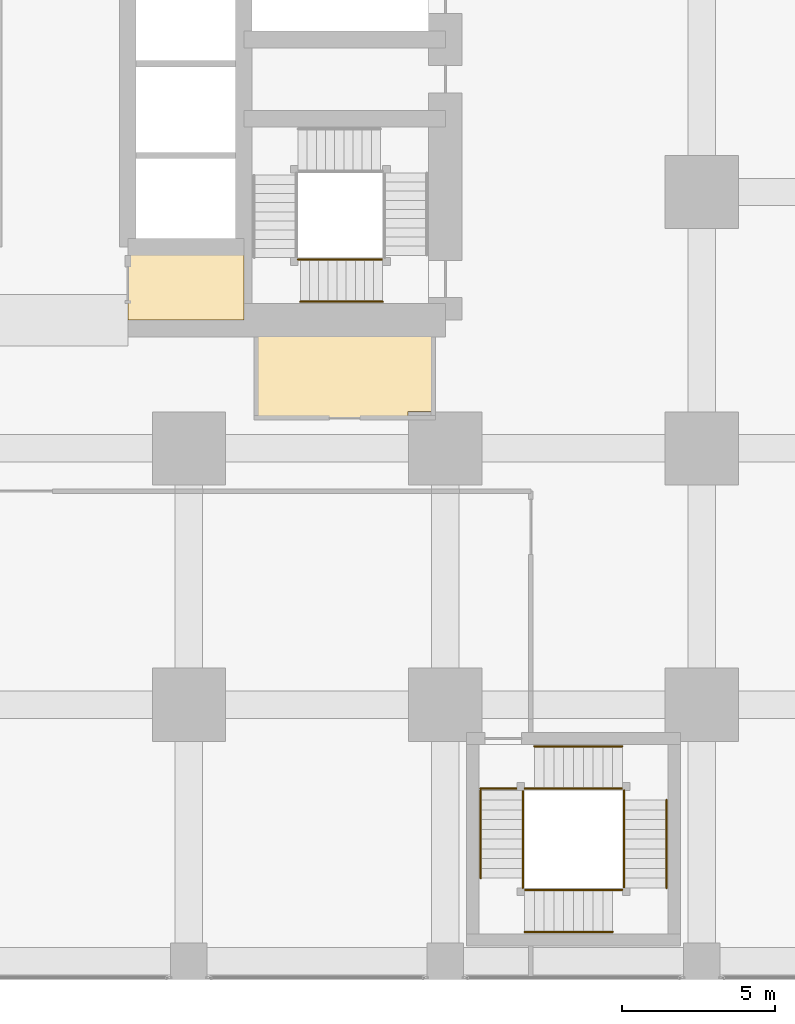
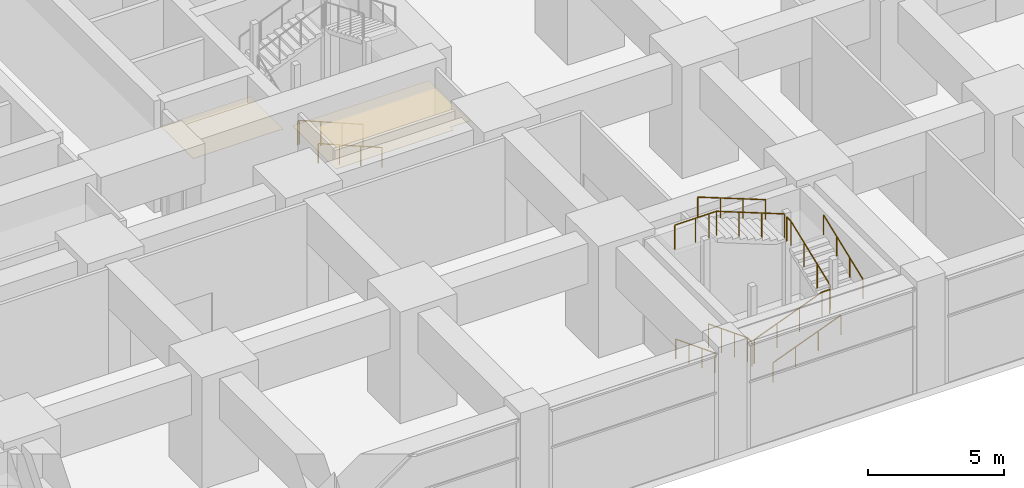
# One storey, part 42 of 48: 16 railings, 2 coverings.
"""IFC4 building model written with IfcOpenShell, lengths in metres."""

from ifc_helpers import new_model, si_unit, direction, frame, origin, origin_2d, place, context, subcontext, project, spatial, polyline, circle, outline, extrude, material, layer, layer_set, type_object, element, save


model = new_model("IFC4")

# Units and contexts
model_context = context("Model", 3, precision=1e-05, world=origin(), true_north=direction((0.0, 1.0)))
body_context = subcontext(model_context, "Body", "Model", "MODEL_VIEW")
ifc_project = project(units=[si_unit("LENGTHUNIT", "METRE"), si_unit("AREAUNIT", "SQUARE_METRE"), si_unit("VOLUMEUNIT", "CUBIC_METRE"), si_unit("PLANEANGLEUNIT", "RADIAN"), si_unit("MASSUNIT", "GRAM", prefix="KILO")], contexts=[model_context])

# Site, building, storey
site_placement = place(None, origin())
site = spatial("IfcSite", under=ifc_project, at=site_placement, CompositionType="ELEMENT")
building_placement = place(site_placement, origin())
building = spatial("IfcBuilding", under=site, at=building_placement, Name="Rekha Terrace Tower", CompositionType="ELEMENT")
storey_placement = place(building_placement, frame((0.0, 0.0, 15.39990234375)))
storey = spatial("IfcBuildingStorey", under=building, at=storey_placement, Name="L03", CompositionType="ELEMENT", Elevation=15.39990234375)

# Coverings
ifc_material_1 = material(Name="Fibre cement board", Category="finish")
ifc_layer = layer(ifc_material_1, 0.014892578125)
ifc_layer_set = layer_set([ifc_layer], Name="Fibre cement board")
covering_type = type_object("IfcCoveringType", Name="CL2 moisture-resistant board ceiling", PredefinedType="CEILING", material=ifc_layer_set)
covering_1_placement = place(storey_placement, frame((0.0, 0.0, 3.78515625)))
element("IfcCovering", 1, at=covering_1_placement, inside=storey, type_object=covering_type, Name="Ceiling L03-WCA", PredefinedType="CEILING", context=body_context, shape_type="SweptSolid", body=[
    extrude(outline(polyline([(43.800048828125, 23.39990234375), (40.0, 23.39990234375), (40.0, 21.0), (43.800048828125, 21.0), (43.800048828125, 23.39990234375)])), origin(), (0.0, 0.0, 1.0), 0.014892578125),
])
covering_2_placement = place(storey_placement, frame((0.0, 0.0, 3.78515625)))
element("IfcCovering", 2, at=covering_2_placement, inside=storey, type_object=covering_type, Name="Ceiling L03-WCM2", PredefinedType="CEILING", context=body_context, shape_type="SweptSolid", body=[
    extrude(outline(polyline([(50.0, 21.0), (44.199951171875, 21.0), (44.199951171875, 17.800048828125), (49.18505859375, 17.800048828125), (49.18505859375, 18.014892578125), (50.0, 18.014892578125), (50.0, 21.0)])), origin(), (0.0, 0.0, 1.0), 0.014892578125),
])

# Railings
ifc_material_2 = material(Name="Stainless steel balustrade", Category="steel")
railing_type_1 = type_object("IfcRailingType", Name="GR1 1100 stair guard", PredefinedType="GUARDRAIL", material=ifc_material_2)
railing_1_placement = place(storey_placement, frame((52.93994140625, 5.60009765625, 0.125)))
element("IfcRailing", 3, at=railing_1_placement, inside=storey, type_object=railing_type_1, Name="Guard SP4 L03 flight 1", PredefinedType="GUARDRAIL", context=body_context, shape_type="SweptSolid", body=[
    extrude(circle(Radius=0.02392578125, at=origin_2d()), frame((0.0, 0.0, 1.076171875), z_axis=(0.0, -0.931462784923, 0.363836612098), x_axis=(1.0, 0.0, 0.0)), (0.0, 0.0, 1.0), 3.092041015625),
    extrude(circle(Radius=0.02099609375, at=origin_2d()), origin(), (0.0, 0.0, 1.0), 1.052001953125),
    extrude(circle(Radius=0.02099609375, at=origin_2d()), frame((0.0, -0.9599609375, 0.375)), (0.0, 0.0, 1.0), 1.052001953125),
    extrude(circle(Radius=0.02099609375, at=origin_2d()), frame((0.0, -1.920166015625, 0.75)), (0.0, 0.0, 1.0), 1.052001953125),
    extrude(circle(Radius=0.02099609375, at=origin_2d()), frame((0.0, -2.880126953125, 1.125)), (0.0, 0.0, 1.0), 1.052001953125),
])
railing_2_placement = place(storey_placement, frame((53.0, 2.340087890625, 1.375)))
element("IfcRailing", 4, at=railing_2_placement, inside=storey, type_object=railing_type_1, Name="Guard SP4 L03 flight 2", PredefinedType="GUARDRAIL", context=body_context, shape_type="SweptSolid", body=[
    extrude(circle(Radius=0.02392578125, at=origin_2d()), frame((0.0, 0.0, 1.076171875), z_axis=(0.931452331594, 0.0, 0.363863372667), x_axis=(0.0, 1.0, 0.0)), (0.0, 0.0, 1.0), 3.091796875),
    extrude(circle(Radius=0.02099609375, at=origin_2d()), origin(), (0.0, 0.0, 1.0), 1.052001953125),
    extrude(circle(Radius=0.02099609375, at=origin_2d()), frame((0.9599609375, 0.0, 0.375)), (0.0, 0.0, 1.0), 1.052001953125),
    extrude(circle(Radius=0.02099609375, at=origin_2d()), frame((1.919921875, 0.0, 0.75)), (0.0, 0.0, 1.0), 1.052001953125),
    extrude(circle(Radius=0.02099609375, at=origin_2d()), frame((2.8798828125, 0.0, 1.125)), (0.0, 0.0, 1.0), 1.052001953125),
])
railing_3_placement = place(storey_placement, frame((56.260009765625, 2.39990234375, 2.625)))
element("IfcRailing", 5, at=railing_3_placement, inside=storey, type_object=railing_type_1, Name="Guard SP4 L03 flight 3", PredefinedType="GUARDRAIL", context=body_context, shape_type="SweptSolid", body=[
    extrude(circle(Radius=0.02392578125, at=origin_2d()), frame((0.0, 0.0, 1.076171875), z_axis=(0.0, 0.931462784923, 0.363836612098), x_axis=(-1.0, 0.0, 0.0)), (0.0, 0.0, 1.0), 3.092041015625),
    extrude(circle(Radius=0.02099609375, at=origin_2d()), origin(), (0.0, 0.0, 1.0), 1.052001953125),
    extrude(circle(Radius=0.02099609375, at=origin_2d()), frame((0.0, 0.9599609375, 0.375)), (0.0, 0.0, 1.0), 1.052001953125),
    extrude(circle(Radius=0.02099609375, at=origin_2d()), frame((0.0, 1.920166015625, 0.75)), (0.0, 0.0, 1.0), 1.052001953125),
    extrude(circle(Radius=0.02099609375, at=origin_2d()), frame((0.0, 2.880126953125, 1.125)), (0.0, 0.0, 1.0), 1.052001953125),
])
railing_4_placement = place(storey_placement, frame((56.199951171875, 5.659912109375, 3.875)))
element("IfcRailing", 6, at=railing_4_placement, inside=storey, type_object=railing_type_1, Name="Guard SP4 L03 flight 4", PredefinedType="GUARDRAIL", context=body_context, shape_type="SweptSolid", body=[
    extrude(circle(Radius=0.02392578125, at=origin_2d()), frame((0.0, 0.0, 1.076171875), z_axis=(-0.931452331594, 0.0, 0.363863372667), x_axis=(0.0, -1.0, 0.0)), (0.0, 0.0, 1.0), 3.091796875),
    extrude(circle(Radius=0.02099609375, at=origin_2d()), origin(), (0.0, 0.0, 1.0), 1.052001953125),
    extrude(circle(Radius=0.02099609375, at=origin_2d()), frame((-0.9599609375, 0.0, 0.375)), (0.0, 0.0, 1.0), 1.052001953125),
    extrude(circle(Radius=0.02099609375, at=origin_2d()), frame((-1.919921875, 0.0, 0.75)), (0.0, 0.0, 1.0), 1.052001953125),
    extrude(circle(Radius=0.02099609375, at=origin_2d()), frame((-2.8798828125, 0.0, 1.125)), (0.0, 0.0, 1.0), 1.052001953125),
])
railing_5_placement = place(storey_placement, frame((52.93994140625, 2.719970703125, 1.25)))
element("IfcRailing", 7, at=railing_5_placement, inside=storey, type_object=railing_type_1, Name="Guard SP4 L03 landing 1", PredefinedType="GUARDRAIL", context=body_context, shape_type="SweptSolid", body=[
    extrude(circle(Radius=0.02392578125, at=origin_2d()), frame((0.0, 0.0, 1.076171875), z_axis=(0.0, -1.0, 0.0), x_axis=(1.0, 0.0, 0.0)), (0.0, 0.0, 1.0), 0.320068359375),
    extrude(circle(Radius=0.02099609375, at=origin_2d()), origin(), (0.0, 0.0, 1.0), 1.052001953125),
    extrude(circle(Radius=0.02099609375, at=origin_2d()), frame((0.0, -0.320068359375, 0.0)), (0.0, 0.0, 1.0), 1.052001953125),
])
railing_6_placement = place(storey_placement, frame((55.8798828125, 2.340087890625, 2.5)))
element("IfcRailing", 8, at=railing_6_placement, inside=storey, type_object=railing_type_1, Name="Guard SP4 L03 landing 2", PredefinedType="GUARDRAIL", context=body_context, shape_type="SweptSolid", body=[
    extrude(circle(Radius=0.02392578125, at=origin_2d()), frame((0.0, 0.0, 1.076171875), z_axis=(1.0, 0.0, 0.0), x_axis=(0.0, 1.0, 0.0)), (0.0, 0.0, 1.0), 0.320068359375),
    extrude(circle(Radius=0.02099609375, at=origin_2d()), origin(), (0.0, 0.0, 1.0), 1.052001953125),
    extrude(circle(Radius=0.02099609375, at=origin_2d()), frame((0.320068359375, 0.0, 0.0)), (0.0, 0.0, 1.0), 1.052001953125),
])
railing_7_placement = place(storey_placement, frame((56.260009765625, 5.60009765625, 3.75)))
element("IfcRailing", 9, at=railing_7_placement, inside=storey, type_object=railing_type_1, Name="Guard SP4 L03 landing 3", PredefinedType="GUARDRAIL", context=body_context, shape_type="SweptSolid", body=[
    extrude(circle(Radius=0.02392578125, at=origin_2d()), frame((0.0, 0.0, 1.076171875), z_axis=(0.0, -1.0, 0.0), x_axis=(1.0, 0.0, 0.0)), (0.0, 0.0, 1.0), 0.320068359375),
    extrude(circle(Radius=0.02099609375, at=origin_2d()), origin(), (0.0, 0.0, 1.0), 1.052001953125),
    extrude(circle(Radius=0.02099609375, at=origin_2d()), frame((0.0, -0.320068359375, 0.0)), (0.0, 0.0, 1.0), 1.052001953125),
])
railing_8_placement = place(storey_placement, frame((53.0, 5.659912109375, 5.0)))
element("IfcRailing", 10, at=railing_8_placement, inside=storey, type_object=railing_type_1, Name="Guard SP4 L03 landing 4", PredefinedType="GUARDRAIL", context=body_context, shape_type="SweptSolid", body=[
    extrude(circle(Radius=0.02392578125, at=origin_2d()), frame((0.0, 0.0, 1.076171875), z_axis=(1.0, 0.0, 0.0), x_axis=(0.0, 1.0, 0.0)), (0.0, 0.0, 1.0), 0.320068359375),
    extrude(circle(Radius=0.02099609375, at=origin_2d()), origin(), (0.0, 0.0, 1.0), 1.052001953125),
    extrude(circle(Radius=0.02099609375, at=origin_2d()), frame((0.320068359375, 0.0, 0.0)), (0.0, 0.0, 1.0), 1.052001953125),
])
railing_9_placement = place(storey_placement, frame((51.550048828125, 5.659912109375, 5.0)))
element("IfcRailing", 11, at=railing_9_placement, inside=storey, type_object=railing_type_1, Name="Guard SP4 L03 landing 5", PredefinedType="GUARDRAIL", context=body_context, shape_type="SweptSolid", body=[
    extrude(circle(Radius=0.02392578125, at=origin_2d()), frame((0.0, 0.0, 1.076171875), z_axis=(1.0, 0.0, 0.0), x_axis=(0.0, 1.0, 0.0)), (0.0, 0.0, 1.0), 1.77001953125),
    extrude(circle(Radius=0.02099609375, at=origin_2d()), origin(), (0.0, 0.0, 1.0), 1.052001953125),
    extrude(circle(Radius=0.02099609375, at=origin_2d()), frame((0.885009765625, 0.0, 0.0)), (0.0, 0.0, 1.0), 1.052001953125),
    extrude(circle(Radius=0.02099609375, at=origin_2d()), frame((1.77001953125, 0.0, 0.0)), (0.0, 0.0, 1.0), 1.052001953125),
])
railing_10_placement = place(storey_placement, frame((48.35009765625, 22.989990234375, 0.125)))
element("IfcRailing", 12, at=railing_10_placement, inside=storey, type_object=railing_type_1, Name="Guard ST3 L03 flight 1", PredefinedType="GUARDRAIL", context=body_context, shape_type="SweptSolid", body=[
    extrude(circle(Radius=0.02392578125, at=origin_2d()), frame((0.0, 0.0, 1.076171875), z_axis=(-0.923086799901, 0.0, 0.38459167938), x_axis=(0.0, -1.0, 0.0)), (0.0, 0.0, 1.0), 2.92529296875),
    extrude(circle(Radius=0.02099609375, at=origin_2d()), origin(), (0.0, 0.0, 1.0), 1.052001953125),
    extrude(circle(Radius=0.02099609375, at=origin_2d()), frame((-0.900146484375, 0.0, 0.375)), (0.0, 0.0, 1.0), 1.052001953125),
    extrude(circle(Radius=0.02099609375, at=origin_2d()), frame((-1.800048828125, 0.0, 0.75)), (0.0, 0.0, 1.0), 1.052001953125),
    extrude(circle(Radius=0.02099609375, at=origin_2d()), frame((-2.7001953125, 0.0, 1.125)), (0.0, 0.0, 1.0), 1.052001953125),
])
railing_11_placement = place(storey_placement, frame((45.64990234375, 22.989990234375, 1.25)))
element("IfcRailing", 13, at=railing_11_placement, inside=storey, type_object=railing_type_1, Name="Guard ST3 L03 landing 1", PredefinedType="GUARDRAIL", context=body_context, shape_type="SweptSolid", body=[
    extrude(circle(Radius=0.02392578125, at=origin_2d()), frame((0.0, 0.0, 1.076171875), z_axis=(-1.0, 0.0, 0.0), x_axis=(0.0, -1.0, 0.0)), (0.0, 0.0, 1.0), 0.074951171875),
    extrude(circle(Radius=0.02099609375, at=origin_2d()), origin(), (0.0, 0.0, 1.0), 1.052001953125),
    extrude(circle(Radius=0.02099609375, at=origin_2d()), frame((-0.074951171875, 0.0, 0.0)), (0.0, 0.0, 1.0), 1.052001953125),
])
ifc_material_3 = material(Name="Stainless steel tube", Category="steel")
railing_type_2 = type_object("IfcRailingType", Name="HR1 900 stair handrail", PredefinedType="HANDRAIL", material=ifc_material_3)
railing_12_placement = place(storey_placement, frame((51.56005859375, 5.60009765625, 0.125)))
element("IfcRailing", 14, at=railing_12_placement, inside=storey, type_object=railing_type_2, Name="Handrail SP4 L03 flight 1", PredefinedType="HANDRAIL", context=body_context, shape_type="SweptSolid", body=[
    extrude(circle(Radius=0.02392578125, at=origin_2d()), frame((0.0, 0.0, 0.8759765625), z_axis=(0.0, -0.931462784923, 0.363836612098), x_axis=(1.0, 0.0, 0.0)), (0.0, 0.0, 1.0), 3.092041015625),
    extrude(circle(Radius=0.02099609375, at=origin_2d()), origin(), (0.0, 0.0, 1.0), 0.851806640625),
    extrude(circle(Radius=0.02099609375, at=origin_2d()), frame((0.0, -0.9599609375, 0.375)), (0.0, 0.0, 1.0), 0.851806640625),
    extrude(circle(Radius=0.02099609375, at=origin_2d()), frame((0.0, -1.920166015625, 0.75)), (0.0, 0.0, 1.0), 0.851806640625),
    extrude(circle(Radius=0.02099609375, at=origin_2d()), frame((0.0, -2.880126953125, 1.125)), (0.0, 0.0, 1.0), 0.851806640625),
])
railing_13_placement = place(storey_placement, frame((53.0, 0.9599609375, 1.375)))
element("IfcRailing", 15, at=railing_13_placement, inside=storey, type_object=railing_type_2, Name="Handrail SP4 L03 flight 2", PredefinedType="HANDRAIL", context=body_context, shape_type="SweptSolid", body=[
    extrude(circle(Radius=0.02392578125, at=origin_2d()), frame((0.0, 0.0, 0.8759765625), z_axis=(0.931452331594, 0.0, 0.363863372667), x_axis=(0.0, 1.0, 0.0)), (0.0, 0.0, 1.0), 3.091796875),
    extrude(circle(Radius=0.02099609375, at=origin_2d()), origin(), (0.0, 0.0, 1.0), 0.851806640625),
    extrude(circle(Radius=0.02099609375, at=origin_2d()), frame((0.9599609375, 0.0, 0.375)), (0.0, 0.0, 1.0), 0.851806640625),
    extrude(circle(Radius=0.02099609375, at=origin_2d()), frame((1.919921875, 0.0, 0.75)), (0.0, 0.0, 1.0), 0.851806640625),
    extrude(circle(Radius=0.02099609375, at=origin_2d()), frame((2.8798828125, 0.0, 1.125)), (0.0, 0.0, 1.0), 0.851806640625),
])
railing_14_placement = place(storey_placement, frame((57.639892578125, 2.39990234375, 2.625)))
element("IfcRailing", 16, at=railing_14_placement, inside=storey, type_object=railing_type_2, Name="Handrail SP4 L03 flight 3", PredefinedType="HANDRAIL", context=body_context, shape_type="SweptSolid", body=[
    extrude(circle(Radius=0.02392578125, at=origin_2d()), frame((0.0, 0.0, 0.8759765625), z_axis=(0.0, 0.931462784923, 0.363836612098), x_axis=(-1.0, 0.0, 0.0)), (0.0, 0.0, 1.0), 3.092041015625),
    extrude(circle(Radius=0.02099609375, at=origin_2d()), origin(), (0.0, 0.0, 1.0), 0.851806640625),
    extrude(circle(Radius=0.02099609375, at=origin_2d()), frame((0.0, 0.9599609375, 0.375)), (0.0, 0.0, 1.0), 0.851806640625),
    extrude(circle(Radius=0.02099609375, at=origin_2d()), frame((0.0, 1.920166015625, 0.75)), (0.0, 0.0, 1.0), 0.851806640625),
    extrude(circle(Radius=0.02099609375, at=origin_2d()), frame((0.0, 2.880126953125, 1.125)), (0.0, 0.0, 1.0), 0.851806640625),
])
railing_15_placement = place(storey_placement, frame((56.199951171875, 7.0400390625, 3.875)))
element("IfcRailing", 17, at=railing_15_placement, inside=storey, type_object=railing_type_2, Name="Handrail SP4 L03 flight 4", PredefinedType="HANDRAIL", context=body_context, shape_type="SweptSolid", body=[
    extrude(circle(Radius=0.02392578125, at=origin_2d()), frame((0.0, 0.0, 0.8759765625), z_axis=(-0.931452331594, 0.0, 0.363863372667), x_axis=(0.0, -1.0, 0.0)), (0.0, 0.0, 1.0), 3.091796875),
    extrude(circle(Radius=0.02099609375, at=origin_2d()), origin(), (0.0, 0.0, 1.0), 0.851806640625),
    extrude(circle(Radius=0.02099609375, at=origin_2d()), frame((-0.9599609375, 0.0, 0.375)), (0.0, 0.0, 1.0), 0.851806640625),
    extrude(circle(Radius=0.02099609375, at=origin_2d()), frame((-1.919921875, 0.0, 0.75)), (0.0, 0.0, 1.0), 0.851806640625),
    extrude(circle(Radius=0.02099609375, at=origin_2d()), frame((-2.8798828125, 0.0, 1.125)), (0.0, 0.0, 1.0), 0.851806640625),
])
railing_16_placement = place(storey_placement, frame((48.35009765625, 21.610107421875, 0.125)))
element("IfcRailing", 18, at=railing_16_placement, inside=storey, type_object=railing_type_2, Name="Handrail ST3 L03 flight 1", PredefinedType="HANDRAIL", context=body_context, shape_type="SweptSolid", body=[
    extrude(circle(Radius=0.02392578125, at=origin_2d()), frame((0.0, 0.0, 0.8759765625), z_axis=(-0.923086799901, 0.0, 0.38459167938), x_axis=(0.0, -1.0, 0.0)), (0.0, 0.0, 1.0), 2.92529296875),
    extrude(circle(Radius=0.02099609375, at=origin_2d()), origin(), (0.0, 0.0, 1.0), 0.851806640625),
    extrude(circle(Radius=0.02099609375, at=origin_2d()), frame((-0.900146484375, 0.0, 0.375)), (0.0, 0.0, 1.0), 0.851806640625),
    extrude(circle(Radius=0.02099609375, at=origin_2d()), frame((-1.800048828125, 0.0, 0.75)), (0.0, 0.0, 1.0), 0.851806640625),
    extrude(circle(Radius=0.02099609375, at=origin_2d()), frame((-2.7001953125, 0.0, 1.125)), (0.0, 0.0, 1.0), 0.851806640625),
])

save(model, "model.ifc")
